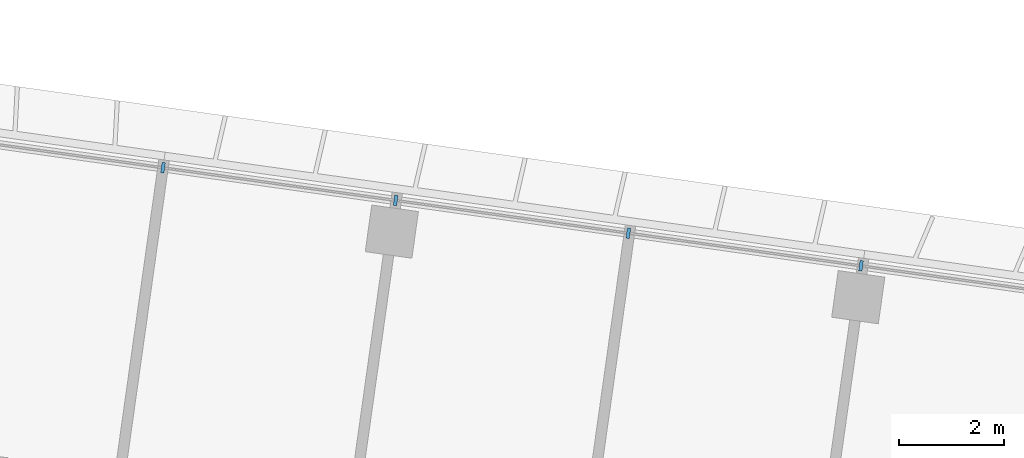
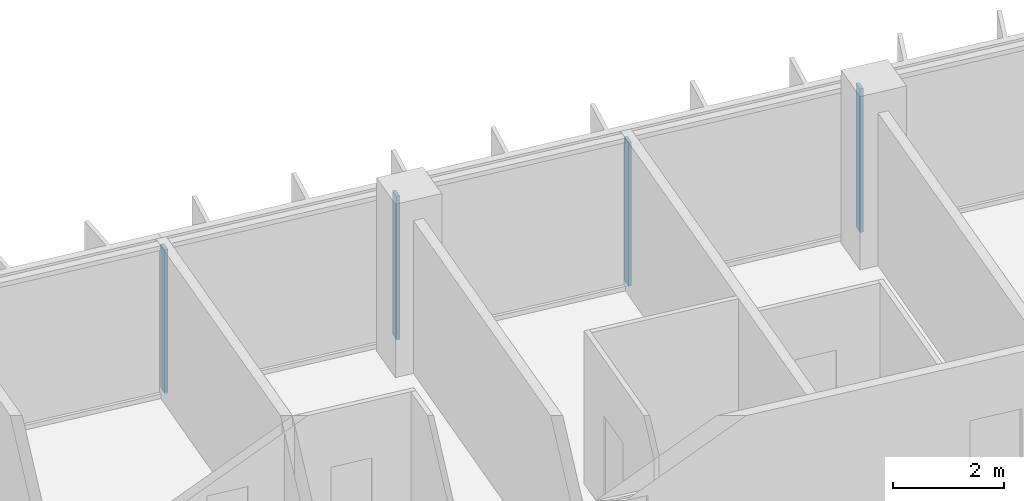
# One storey, part 5 of 26: 4 members, 1 element without a shape of its own.
"""IFC4 building model written with IfcOpenShell, lengths in metres."""

from ifc_helpers import new_model, si_unit, direction, frame, origin, origin_2d, place, context, subcontext, project, spatial, rectangle, extrude, material, material_profile, profile_set, type_object, element, aggregate, save


model = new_model("IFC4")

# Units and contexts
model_context = context("Model", 3, precision=1e-05, world=origin(), true_north=direction((0.0, 1.0)))
body_context = subcontext(model_context, "Body", "Model", "MODEL_VIEW")
ifc_project = project(units=[si_unit("LENGTHUNIT", "METRE"), si_unit("AREAUNIT", "SQUARE_METRE"), si_unit("VOLUMEUNIT", "CUBIC_METRE"), si_unit("PLANEANGLEUNIT", "RADIAN"), si_unit("MASSUNIT", "GRAM", prefix="KILO")], contexts=[model_context])

# Site, building, storey
site_placement = place(None, origin())
site = spatial("IfcSite", under=ifc_project, at=site_placement, CompositionType="ELEMENT")
building_placement = place(site_placement, origin())
building = spatial("IfcBuilding", under=site, at=building_placement, Name="Mirante Cascada Hotel Towers", CompositionType="ELEMENT")
storey_placement = place(building_placement, frame((0.0, 0.0, 98.7)))
storey = spatial("IfcBuildingStorey", under=building, at=storey_placement, Name="L21", CompositionType="ELEMENT", Elevation=98.7)

# Curtain wall, members
ifc_material_1 = material(Name="Aluminium mullion and transom frame with clear laminated glass", Category="aluminium")
curtain_wall_type = type_object("IfcCurtainWallType", Name="Ribbon curtain wall ECW1", PredefinedType="NOTDEFINED", material=ifc_material_1)
curtain_wall_placement = place(storey_placement, origin())
curtain_wall = element("IfcCurtainWall", 1, at=curtain_wall_placement, inside=storey, type_object=curtain_wall_type, Name="Front ribbon wall T1 L21", PredefinedType="NOTDEFINED")
ifc_material_2 = material(Name="Anodised aluminium extrusion", Category="aluminium")
ifc_material_profile = material_profile(ifc_material_2, rectangle(XDim=0.2, YDim=0.065, at=origin_2d()), Name="ECW1 MULLION 65x200")
ifc_profile_set = profile_set([ifc_material_profile], Name="Anodised aluminium extrusion")
member_type = type_object("IfcMemberType", Name="ECW1 mullion 65x200", PredefinedType="MULLION", material=ifc_profile_set)
member_1_placement = place(storey_placement, frame((-58.57, 21.0505, 0.1), z_axis=(0.0, 0.0, 1.0), x_axis=(0.1391731, 0.9902681, 0.0)))
member_1 = element("IfcMember", 2, at=member_1_placement, type_object=member_type, Name="ECW1 mullion 7", PredefinedType="MULLION", context=body_context, shape_type="SweptSolid", body=[
    extrude(rectangle(XDim=0.2, YDim=0.065, at=origin_2d()), origin(), (0.0, 0.0, 1.0), 3.15),
])
member_2_placement = place(storey_placement, frame((-54.1241, 20.4257, 0.1), z_axis=(0.0, 0.0, 1.0), x_axis=(0.1391731, 0.9902681, 0.0)))
member_2 = element("IfcMember", 3, at=member_2_placement, type_object=member_type, Name="ECW1 mullion 8", PredefinedType="MULLION", context=body_context, shape_type="SweptSolid", body=[
    extrude(rectangle(XDim=0.2, YDim=0.065, at=origin_2d()), origin(), (0.0, 0.0, 1.0), 3.15),
])
member_3_placement = place(storey_placement, frame((-49.6781, 19.8008, 0.1), z_axis=(0.0, 0.0, 1.0), x_axis=(0.1391731, 0.9902681, 0.0)))
member_3 = element("IfcMember", 4, at=member_3_placement, type_object=member_type, Name="ECW1 mullion 9", PredefinedType="MULLION", context=body_context, shape_type="SweptSolid", body=[
    extrude(rectangle(XDim=0.2, YDim=0.065, at=origin_2d()), origin(), (0.0, 0.0, 1.0), 3.15),
])
member_4_placement = place(storey_placement, frame((-45.2322, 19.176, 0.1), z_axis=(0.0, 0.0, 1.0), x_axis=(0.1391731, 0.9902681, 0.0)))
member_4 = element("IfcMember", 5, at=member_4_placement, type_object=member_type, Name="ECW1 mullion 10", PredefinedType="MULLION", context=body_context, shape_type="SweptSolid", body=[
    extrude(rectangle(XDim=0.2, YDim=0.065, at=origin_2d()), origin(), (0.0, 0.0, 1.0), 3.15),
])
aggregate(curtain_wall, [member_1, member_2, member_3, member_4])

save(model, "model.ifc")
